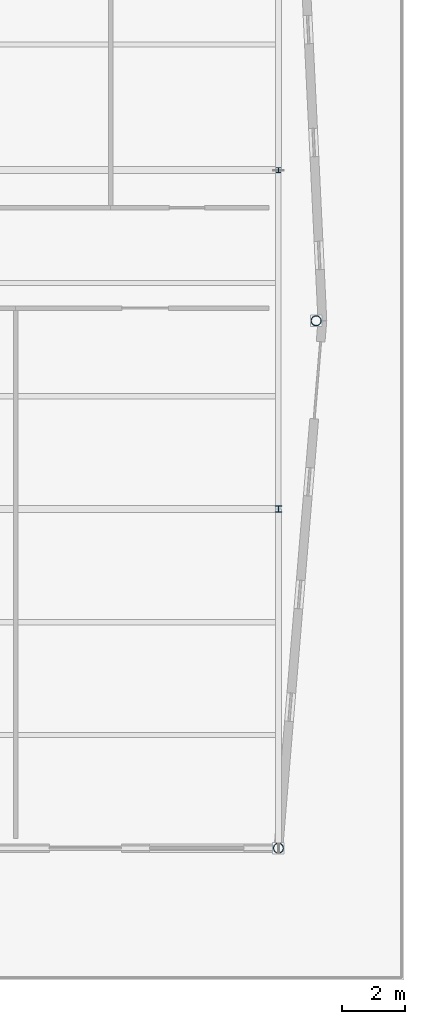
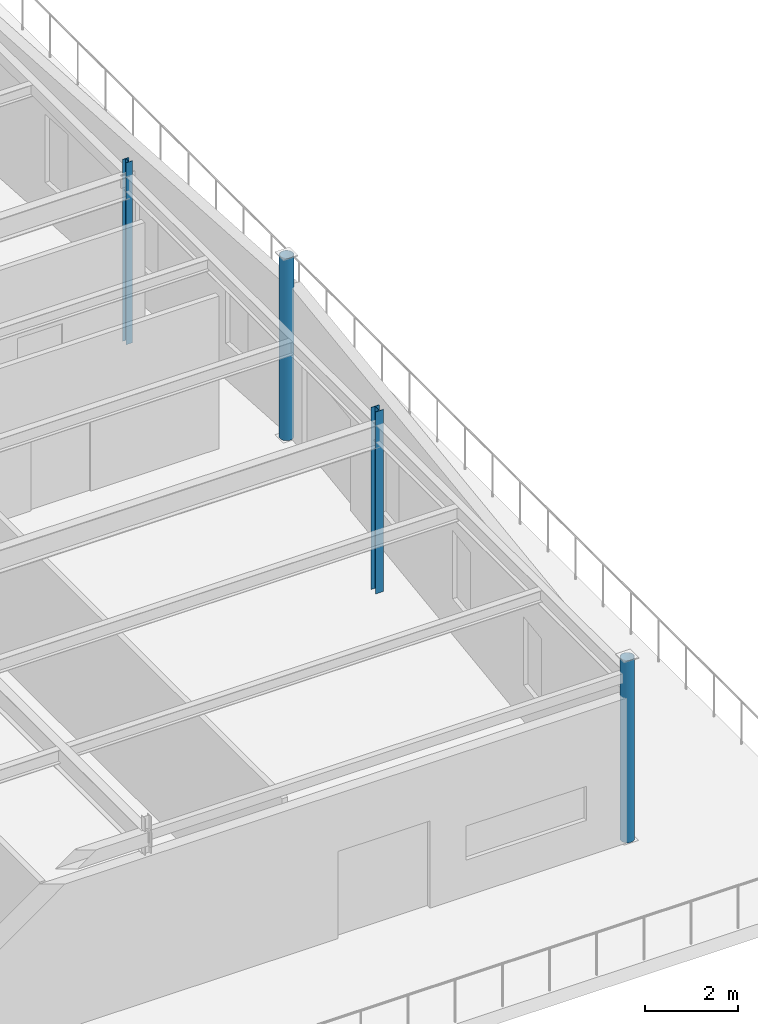
# One storey, part 49 of 199: 4 columns.
"""IFC4 building model written with IfcOpenShell, lengths in metres."""

import ifcopenshell
import ifcopenshell.guid

model = None  # the IFC model being written
_history = None  # IfcOwnerHistory: only IFC2X3 demands one
_inside = {}  # id of a spatial element -> (the spatial element, [elements in it])
_under = {}  # id of a project, library or spatial element -> (it, [spatial elements below it])
_declared = {}  # id of a project -> (the project, [libraries it declares])
_typed = {}  # id of a type object -> (the type object, [elements of that type])
_made_of = {}  # id of a material, layer set ... -> (it, [elements and type objects made of it])


def new_model(schema):
    """Start an empty IFC model of exactly this schema.

    Asked for "IFC4X3", IfcOpenShell would pick the latest addendum, in which some entities
    have other attributes; the version numbers below select the first issue.
    IFC2X3 requires an IfcOwnerHistory on every rooted entity: one is made here for all.
    """
    global model, _history
    if schema == "IFC4X3":
        model = ifcopenshell.file(schema_version=(4, 3, 0, 0))
    else:
        model = ifcopenshell.file(schema=schema)
    _inside.clear()
    _under.clear()
    _declared.clear()
    _typed.clear()
    _made_of.clear()
    _history = None
    if model.schema == "IFC2X3":
        org = make("IfcOrganization", Name="unknown")
        user = make(
            "IfcPersonAndOrganization",
            ThePerson=make("IfcPerson", FamilyName="unknown"),
            TheOrganization=org,
        )
        app = make(
            "IfcApplication",
            ApplicationDeveloper=org,
            Version="unknown",
            ApplicationFullName="unknown",
            ApplicationIdentifier="unknown",
        )
        _history = make(
            "IfcOwnerHistory",
            OwningUser=user,
            OwningApplication=app,
            ChangeAction="ADDED",
            CreationDate=0,
        )
    return model


def make(cls, **values):
    """One entity of the class cls with the attributes given. An attribute that is None is left unset."""
    return model.create_entity(
        cls, **{name: value for name, value in values.items() if value is not None}
    )


def rooted(cls, **values):
    """An entity with a GlobalId (a new one), such as an element, a storey or a relation."""
    return make(cls, GlobalId=ifcopenshell.guid.new(), OwnerHistory=_history, **values)


def si_unit(unit_type, name, prefix=None):
    """IfcSIUnit, for example si_unit("LENGTHUNIT", "METRE", prefix="MILLI")."""
    return make("IfcSIUnit", UnitType=unit_type, Prefix=prefix, Name=name)


def assignment(units):
    """IfcUnitAssignment: the units of a project."""
    return None if units is None else make("IfcUnitAssignment", Units=units)


def point(xyz):
    """IfcCartesianPoint."""
    return None if xyz is None else make("IfcCartesianPoint", Coordinates=xyz)


def direction(xyz):
    """IfcDirection."""
    return None if xyz is None else make("IfcDirection", DirectionRatios=xyz)


def frame(location, z_axis=None, x_axis=None):
    """IfcAxis2Placement3D, a coordinate frame: its origin and axes. An axis left out is left unset."""
    return make(
        "IfcAxis2Placement3D",
        Location=point(location),
        Axis=direction(z_axis),
        RefDirection=direction(x_axis),
    )


def frame_2d(location, x_axis=None):
    """IfcAxis2Placement2D, a coordinate frame in the plane: its origin and x axis."""
    return make(
        "IfcAxis2Placement2D", Location=point(location), RefDirection=direction(x_axis)
    )


def origin():
    """The frame at (0, 0, 0) with its axes left unset."""
    return frame((0.0, 0.0, 0.0))


def origin_2d():
    """The frame at (0, 0) in the plane with its x axis left unset."""
    return frame_2d((0.0, 0.0))


def place(relative_to, where):
    """IfcLocalPlacement: puts the frame where relative to a parent placement (None: the world)."""
    return make(
        "IfcLocalPlacement", PlacementRelTo=relative_to, RelativePlacement=where
    )


def context(
    kind, dimensions, precision=None, world=None, true_north=None, identifier=None
):
    """IfcGeometricRepresentationContext, for example the 3D "Model" context."""
    return make(
        "IfcGeometricRepresentationContext",
        ContextIdentifier=identifier,
        ContextType=kind,
        CoordinateSpaceDimension=dimensions,
        Precision=precision,
        WorldCoordinateSystem=world,
        TrueNorth=true_north,
    )


def subcontext(parent, identifier, kind, view, scale=None):
    """IfcGeometricRepresentationSubContext, for example "Body" below "Model"."""
    return make(
        "IfcGeometricRepresentationSubContext",
        ContextIdentifier=identifier,
        ContextType=kind,
        ParentContext=parent,
        TargetScale=scale,
        TargetView=view,
    )


def project(units=None, contexts=None):
    """IfcProject with its units and contexts."""
    return rooted(
        "IfcProject",
        Name="project",
        RepresentationContexts=contexts,
        UnitsInContext=assignment(units),
    )


def spatial(cls, under=None, at=None, **own):
    """A site, building, storey or space (cls), placed at a placement, below another one or the project."""
    s = rooted(cls, ObjectPlacement=at, **own)
    if under is not None:
        _under.setdefault(under.id(), (under, []))[1].append(s)
    return s


def profile(cls, at=None, kind="AREA", **sizes):
    """A parametric profile (cls). Its sizes go by their IFC names, for example OverallWidth=200.0."""
    return make(cls, ProfileType=kind, Position=at, **sizes)


def hollow_circle(**sizes):
    """IfcCircleHollowProfileDef."""
    return profile("IfcCircleHollowProfileDef", **sizes)


def i_section(**sizes):
    """IfcIShapeProfileDef."""
    return profile("IfcIShapeProfileDef", **sizes)


def extrude(swept, where, along, depth):
    """IfcExtrudedAreaSolid: the profile swept, set in the frame where, extruded along a direction by depth."""
    return make(
        "IfcExtrudedAreaSolid",
        SweptArea=swept,
        Position=where,
        ExtrudedDirection=direction(along),
        Depth=depth,
    )


def shape(context_of_items, identifier, shape_type, items):
    """IfcShapeRepresentation: the items that make up one representation, for example the "Body"."""
    return make(
        "IfcShapeRepresentation",
        ContextOfItems=context_of_items,
        RepresentationIdentifier=identifier,
        RepresentationType=shape_type,
        Items=items,
    )


def material(Name=None, Category=None):
    """IfcMaterial."""
    return make("IfcMaterial", Name=Name, Category=Category)


def material_profile(
    of_material, cross_section, Name=None, Category=None, Priority=None
):
    """IfcMaterialProfile: a cross section and its material."""
    return make(
        "IfcMaterialProfile",
        Name=Name,
        Material=of_material,
        Profile=cross_section,
        Priority=Priority,
        Category=Category,
    )


def profile_set(profiles, Name=None, composite=None):
    """IfcMaterialProfileSet."""
    return make(
        "IfcMaterialProfileSet",
        Name=Name,
        MaterialProfiles=profiles,
        CompositeProfile=composite,
    )


def made_of(thing, what):
    """Note that an element or type object is made of a material, layer set ...; save() writes the relation."""
    if what is not None:
        _made_of.setdefault(what.id(), (what, []))[1].append(thing)
    return thing


def type_object(cls, material=None, **own):
    """A type object (cls), such as IfcWallType, which elements share."""
    return made_of(rooted(cls, **own), material)


def element(
    cls,
    number,
    at=None,
    inside=None,
    cuts=None,
    type_object=None,
    material=None,
    context=None,
    identifier="Body",
    shape_type=None,
    held_by="IfcProductDefinitionShape",
    body=None,
    shapes=None,
    **own,
):
    """One element of the class cls, such as IfcWall. Its Tag is "e" and its number.

    at: its placement. inside: the storey or other place that contains it. cuts: it is an
    opening in that element (IfcRelVoidsElement). A single representation is given by context,
    identifier, shape_type and body (its items); several are given by shapes. held_by: the class
    of the entity that holds the representations. save() writes the other relations.
    """
    e = rooted(cls, Tag="e%d" % number, ObjectPlacement=at, **own)
    if body is not None:
        shapes = [shape(context, identifier, shape_type, body)]
    if shapes is not None:
        e.Representation = make(held_by, Representations=shapes)
    if inside is not None:
        _inside.setdefault(inside.id(), (inside, []))[1].append(e)
    if cuts is not None:
        rooted(
            "IfcRelVoidsElement", RelatingBuildingElement=cuts, RelatedOpeningElement=e
        )
    if type_object is not None:
        _typed.setdefault(type_object.id(), (type_object, []))[1].append(e)
    return made_of(e, material)


def aggregate(whole, parts):
    """IfcRelAggregates: a whole, such as a stair, and the parts it consists of."""
    return rooted("IfcRelAggregates", RelatingObject=whole, RelatedObjects=parts)


def save(model, path):
    """Write the relations noted so far, then the file.

    IfcRelAggregates (storeys below a building ...), IfcRelContainedInSpatialStructure (elements
    in a storey), IfcRelDefinesByType, IfcRelAssociatesMaterial and IfcRelDeclares: one each for
    every whole, place, type object, material and project.
    """
    for whole, parts in _under.values():
        aggregate(whole, parts)
    for where, things in _inside.values():
        rooted(
            "IfcRelContainedInSpatialStructure",
            RelatedElements=things,
            RelatingStructure=where,
        )
    for kind, things in _typed.values():
        rooted("IfcRelDefinesByType", RelatedObjects=things, RelatingType=kind)
    for what, things in _made_of.values():
        rooted("IfcRelAssociatesMaterial", RelatedObjects=things, RelatingMaterial=what)
    for by, libraries in _declared.values():
        rooted("IfcRelDeclares", RelatingContext=by, RelatedDefinitions=libraries)
    model.write(path)


model = new_model("IFC4")

# Units and contexts
model_context = context("Model", 3, precision=1e-05, world=origin(), true_north=direction((0.0, 1.0)))
body_context = subcontext(model_context, "Body", "Model", "MODEL_VIEW")
ifc_project = project(units=[si_unit("LENGTHUNIT", "METRE"), si_unit("AREAUNIT", "SQUARE_METRE"), si_unit("VOLUMEUNIT", "CUBIC_METRE"), si_unit("PLANEANGLEUNIT", "RADIAN"), si_unit("MASSUNIT", "GRAM", prefix="KILO")], contexts=[model_context])

# Site, building, storey
site_placement = place(None, origin())
site = spatial("IfcSite", under=ifc_project, at=site_placement, CompositionType="ELEMENT")
building_placement = place(site_placement, origin())
building = spatial("IfcBuilding", under=site, at=building_placement, Name="Tarnwether General Hospital", CompositionType="ELEMENT")
storey_placement = place(building_placement, origin())
storey = spatial("IfcBuildingStorey", under=building, at=storey_placement, Name="L00", CompositionType="ELEMENT", Elevation=0.0)

# Columns
ifc_material_1 = material(Name="Steel Grade C350L0 (350 MPa)", Category="steel")
ifc_material_profile_1 = material_profile(ifc_material_1, hollow_circle(Radius=0.161865234375, WallThickness=0.0126953125, at=origin_2d()), Name="CHS323.9x12.7")
ifc_profile_set_1 = profile_set([ifc_material_profile_1], Name="Steel Grade C350L0 (350 MPa)")
column_type_1 = type_object("IfcColumnType", Name="COL-26", PredefinedType="COLUMN", material=ifc_profile_set_1)
for number, where, z_axis, x_axis, name in (
    (1, (192.0, 0.0, 0.0), (0.0, 0.0, 1.0), (1.0, 0.0, 0.0), "Column COLG-L00-19200_0"),
    (2, (193.199951171875, 16.800048828125, 0.0), (0.0, 0.0, 1.0), (0.882947592859, -0.469471562786, 0.0), "Column COLG-L00-19320_1680"),
):
    element("IfcColumn", number, at=place(storey_placement, frame(where, z_axis=z_axis, x_axis=x_axis)), inside=storey, type_object=column_type_1, Name=name, PredefinedType="COLUMN", context=body_context, shape_type="SweptSolid", body=[
        extrude(hollow_circle(Radius=0.161865234375, WallThickness=0.0126953125, at=origin_2d()), origin(), (0.0, 0.0, 1.0), 4.800048828125),
    ])
ifc_material_2 = material(Name="Steel Grade 350 (350 MPa)", Category="steel")
ifc_material_profile_2 = material_profile(ifc_material_2, i_section(OverallWidth=0.202880859375, OverallDepth=0.202880859375, WebThickness=0.00732421875, FlangeThickness=0.010986328125, at=origin_2d()), Name="200UC46.2")
ifc_profile_set_2 = profile_set([ifc_material_profile_2], Name="Steel Grade 350 (350 MPa)")
column_type_2 = type_object("IfcColumnType", Name="COL-27", PredefinedType="COLUMN", material=ifc_profile_set_2)
column_1_placement = place(storey_placement, frame((192.0, 10.800048828125, 0.0), z_axis=(0.0, 0.0, 1.0), x_axis=(1.0, 0.0, 0.0)))
element("IfcColumn", 3, at=column_1_placement, inside=storey, type_object=column_type_2, Name="Column COLG-L00-19200_1080", PredefinedType="COLUMN", context=body_context, shape_type="SweptSolid", body=[
    extrude(i_section(OverallWidth=0.202880859375, OverallDepth=0.202880859375, WebThickness=0.00732421875, FlangeThickness=0.010986328125, at=origin_2d()), origin(), (0.0, 0.0, 1.0), 4.800048828125),
])
ifc_material_3 = material(Name="Steel Grade 350 (350 MPa)", Category="steel")
ifc_material_profile_3 = material_profile(ifc_material_3, i_section(OverallWidth=0.154052734375, OverallDepth=0.162109375, WebThickness=0.008056640625, FlangeThickness=0.011474609375, at=origin_2d()), Name="150UC37.2")
ifc_profile_set_3 = profile_set([ifc_material_profile_3], Name="Steel Grade 350 (350 MPa)")
column_type_3 = type_object("IfcColumnType", Name="COL-28", PredefinedType="COLUMN", material=ifc_profile_set_3)
column_2_placement = place(storey_placement, frame((192.0, 21.60009765625, 0.0), z_axis=(0.0, 0.0, 1.0), x_axis=(1.0, 0.0, 0.0)))
element("IfcColumn", 4, at=column_2_placement, inside=storey, type_object=column_type_3, Name="Column COLG-L00-19200_2160", PredefinedType="COLUMN", context=body_context, shape_type="SweptSolid", body=[
    extrude(i_section(OverallWidth=0.154052734375, OverallDepth=0.162109375, WebThickness=0.008056640625, FlangeThickness=0.011474609375, at=origin_2d()), origin(), (0.0, 0.0, 1.0), 4.800048828125),
])

save(model, "model.ifc")
